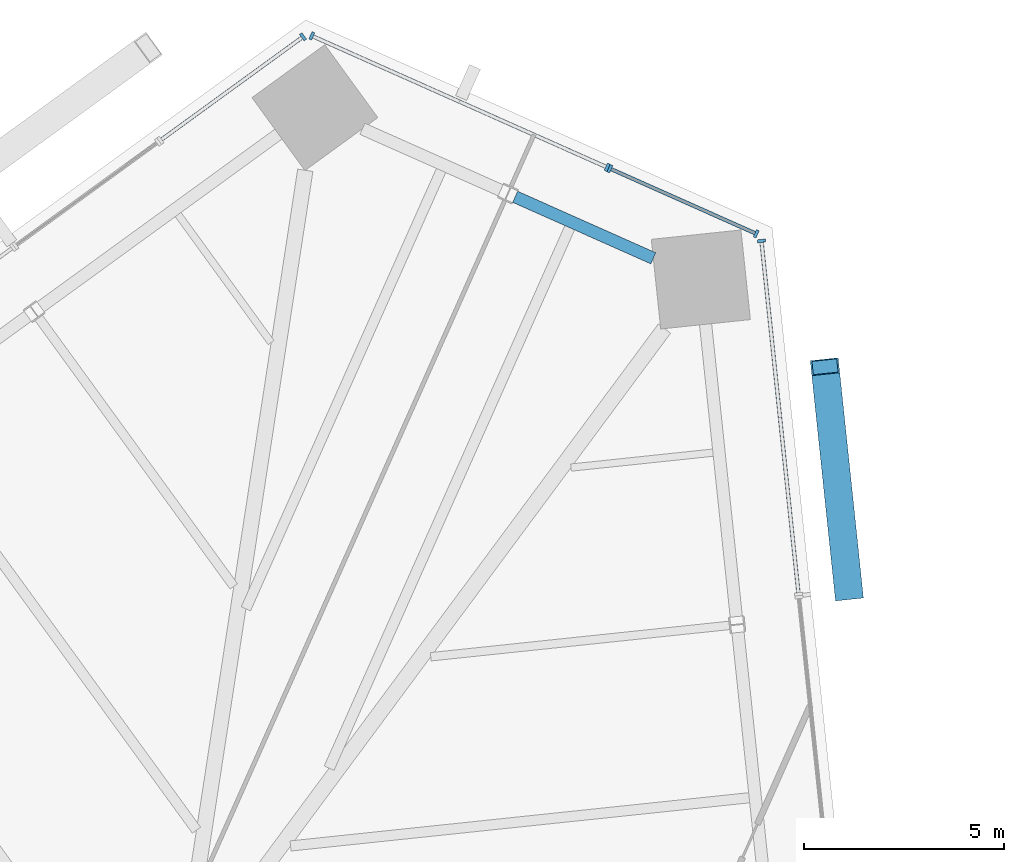
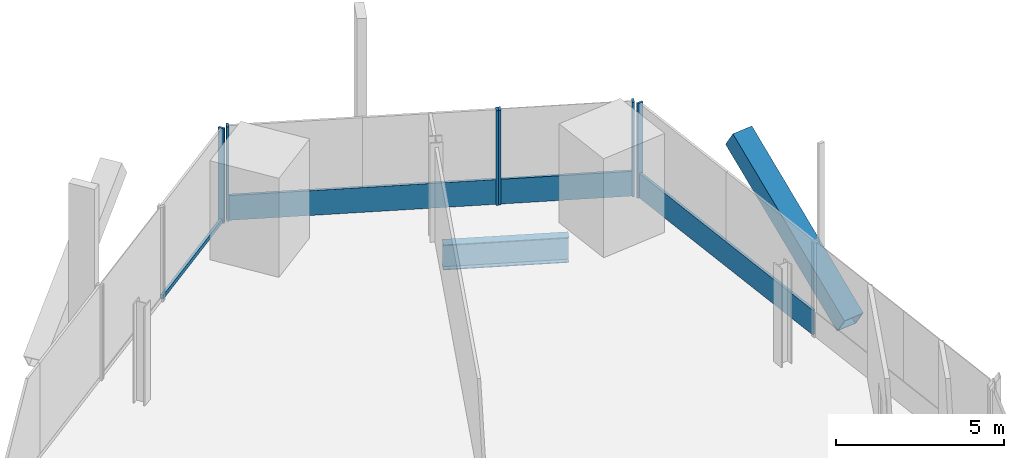
# One storey, part 8 of 21: 11 members, 1 beam, 4 elements without a shape of their own.
"""IFC4 building model written with IfcOpenShell, lengths in metres."""

from ifc_helpers import new_model, si_unit, direction, frame, origin, origin_2d, place, context, subcontext, project, spatial, rectangle, hollow_rectangle, i_section, extrude, source, transform, mapped, material, material_profile, profile_set, type_object, element, aggregate, save


model = new_model("IFC4")

# Units and contexts
model_context = context("Model", 3, precision=1e-05, world=origin(), true_north=direction((0.0, 1.0)))
body_context = subcontext(model_context, "Body", "Model", "MODEL_VIEW")
ifc_project = project(units=[si_unit("LENGTHUNIT", "METRE"), si_unit("AREAUNIT", "SQUARE_METRE"), si_unit("VOLUMEUNIT", "CUBIC_METRE"), si_unit("PLANEANGLEUNIT", "RADIAN"), si_unit("MASSUNIT", "GRAM", prefix="KILO")], contexts=[model_context])

# Site, building, storey
site_placement = place(None, origin())
site = spatial("IfcSite", under=ifc_project, at=site_placement, CompositionType="ELEMENT")
building_placement = place(site_placement, origin())
building = spatial("IfcBuilding", under=site, at=building_placement, Name="Triune Harvest Tower", CompositionType="ELEMENT")
storey_placement = place(building_placement, frame((0.0, 0.0, 87.300048828125)))
storey = spatial("IfcBuildingStorey", under=building, at=storey_placement, Name="L21", CompositionType="ELEMENT", Elevation=87.300048828125)

# Beam
ifc_material_1 = material(Name="Steel ASTM A992 Gr 50", Category="steel")
ifc_material_profile_1 = material_profile(ifc_material_1, i_section(OverallWidth=0.3046875, OverallDepth=0.914306640625, WebThickness=0.0166015625, FlangeThickness=0.02587890625, at=origin_2d()), Name="W36x160")
ifc_profile_set_1 = profile_set([ifc_material_profile_1], Name="Steel ASTM A992 Gr 50")
beam_type = type_object("IfcBeamType", Name="SB-1 Spandrel beam W36x160", PredefinedType="SPANDREL", material=ifc_profile_set_1)
shared_shape_1 = source(origin(), body_context, "Body", "SweptSolid", [
    extrude(i_section(OverallWidth=0.3046875, OverallDepth=0.914306640625, WebThickness=0.0166015625, FlangeThickness=0.02587890625, at=origin_2d()), origin(), (0.0, 0.0, 1.0), 3.77490234375),
])
beam_placement = place(storey_placement, frame((17.073974609375, 28.577392578125, -0.6171875), z_axis=(-0.913541977346, 0.40674445986, 0.0), x_axis=(-0.40674445986, -0.913541977346, 0.0)))
element("IfcBeam", 1, at=beam_placement, inside=storey, type_object=beam_type, Name="beam/L21/SB7", PredefinedType="SPANDREL", context=body_context, shape_type="MappedRepresentation", body=[
    mapped(shared_shape_1, transform((0.0, 0.0, 0.0), scale=1.0)),
])

# Member
ifc_material_2 = material(Name="Steel ASTM A572 Gr 50", Category="steel")
ifc_material_profile_2 = material_profile(ifc_material_2, hollow_rectangle(XDim=0.699951171875, YDim=0.699951171875, WallThickness=0.0400390625, at=origin_2d()), Name="Box 700x700x40")
ifc_profile_set_2 = profile_set([ifc_material_profile_2], Name="Steel ASTM A572 Gr 50")
member_type_1 = type_object("IfcMemberType", Name="BR-1 Brace Box 700x700x40", PredefinedType="BRACE", material=ifc_profile_set_2)
shared_shape_2 = source(origin(), body_context, "Body", "SweptSolid", [
    extrude(hollow_rectangle(XDim=0.699951171875, YDim=0.699951171875, WallThickness=0.0400390625, at=origin_2d()), origin(), (0.0, 0.0, 1.0), 6.702392578125),
])
member_1_placement = place(storey_placement, frame((21.95166015625, 20.247802734375, 0.0), z_axis=(-0.088187670954, 0.838893871154, 0.537103349117), x_axis=(-0.994519877461, -0.104547660588, 0.0)))
element("IfcMember", 2, at=member_1_placement, inside=storey, type_object=member_type_1, Name="brace/B2-F1/d1/9", PredefinedType="BRACE", context=body_context, shape_type="MappedRepresentation", body=[
    mapped(shared_shape_2, transform((0.0, 0.0, 0.0), scale=1.0)),
])

# Curtain wall, member
ifc_material_3 = material(Name="Aluminium bronze anodised", Category="aluminium")
curtain_wall_type_1 = type_object("IfcCurtainWallType", Name="CW-7 Tower stick curtain wall with insulated spandrel infill", PredefinedType="NOTDEFINED", material=ifc_material_3)
curtain_wall_1_placement = place(storey_placement, origin())
curtain_wall_1 = element("IfcCurtainWall", 3, at=curtain_wall_1_placement, inside=storey, type_object=curtain_wall_type_1, Name="CW-7 B2-F1 L21 run 8001")
ifc_material_4 = material(Name="Aluminium bronze anodised", Category="aluminium")
ifc_material_profile_3 = material_profile(ifc_material_4, rectangle(XDim=0.199951171875, YDim=0.074951171875, at=origin_2d()), Name="MU-1 mullion 75 x 200")
ifc_profile_set_3 = profile_set([ifc_material_profile_3], Name="Aluminium bronze anodised")
member_type_2 = type_object("IfcMemberType", Name="MU-1 mullion 75 x 200", PredefinedType="MULLION", material=ifc_profile_set_3)
shared_shape_3 = source(origin(), body_context, "Body", "SweptSolid", [
    extrude(rectangle(XDim=0.199951171875, YDim=0.074951171875, at=origin_2d()), origin(), (0.0, 0.0, 1.0), 3.43994140625),
])
member_2_placement = place(storey_placement, frame((19.7734375, 29.01171875, 0.0), z_axis=(0.0, 0.0, 1.0), x_axis=(-0.994522065412, -0.104526845393, 0.0)))
member_2 = element("IfcMember", 4, at=member_2_placement, type_object=member_type_2, Name="CW-7 mullion B2-F1 8001.3", PredefinedType="MULLION", context=body_context, shape_type="MappedRepresentation", body=[
    mapped(shared_shape_3, transform((0.0, 0.0, 0.0), scale=1.0)),
])

# Curtain wall, members
ifc_material_5 = material(Name="Aluminium bronze anodised", Category="aluminium")
curtain_wall_type_2 = type_object("IfcCurtainWallType", Name="CW-1 Tower stick curtain wall", PredefinedType="NOTDEFINED", material=ifc_material_5)
curtain_wall_2_placement = place(storey_placement, origin())
curtain_wall_2 = element("IfcCurtainWall", 5, at=curtain_wall_2_placement, inside=storey, type_object=curtain_wall_type_2, Name="CW-1 B2-F2 L21 run 1")
member_3_placement = place(storey_placement, frame((19.643798828125, 29.1904296875, 0.0), z_axis=(0.0, 0.0, 1.0), x_axis=(-0.406731107787, -0.913547922092, 0.0)))
member_3 = element("IfcMember", 6, at=member_3_placement, type_object=member_type_2, Name="CW-1 mullion B2-F2 1.1", PredefinedType="MULLION", context=body_context, shape_type="MappedRepresentation", body=[
    mapped(shared_shape_3, transform((0.0, 0.0, 0.0), scale=1.0)),
])
member_4_placement = place(storey_placement, frame((15.990966796875, 30.816650390625, 0.0), z_axis=(0.0, 0.0, 1.0), x_axis=(-0.406731107787, -0.913547922092, 0.0)))
member_4 = element("IfcMember", 7, at=member_4_placement, type_object=member_type_2, Name="CW-1 mullion B2-F2 1.2", PredefinedType="MULLION", context=body_context, shape_type="MappedRepresentation", body=[
    mapped(shared_shape_3, transform((0.0, 0.0, 0.0), scale=1.0)),
])

curtain_wall_3_placement = place(storey_placement, origin())
curtain_wall_3 = element("IfcCurtainWall", 8, at=curtain_wall_3_placement, inside=storey, type_object=curtain_wall_type_1, Name="CW-7 B2-F2 L21 run 1001")
member_5_placement = place(storey_placement, frame((15.92236328125, 30.84716796875, 0.0), z_axis=(0.0, 0.0, 1.0), x_axis=(-0.406735413684, -0.913546005002, 0.0)))
member_5 = element("IfcMember", 9, at=member_5_placement, type_object=member_type_2, Name="CW-7 mullion B2-F2 1001.1", PredefinedType="MULLION", context=body_context, shape_type="MappedRepresentation", body=[
    mapped(shared_shape_3, transform((0.0, 0.0, 0.0), scale=1.0)),
])
member_6_placement = place(storey_placement, frame((8.548583984375, 34.13037109375, 0.0), z_axis=(0.0, 0.0, 1.0), x_axis=(-0.406735413684, -0.913546005002, 0.0)))
member_6 = element("IfcMember", 10, at=member_6_placement, type_object=member_type_2, Name="CW-7 mullion B2-F2 1001.3", PredefinedType="MULLION", context=body_context, shape_type="MappedRepresentation", body=[
    mapped(shared_shape_3, transform((0.0, 0.0, 0.0), scale=1.0)),
])

# Curtain wall, member
ifc_material_6 = material(Name="Aluminium bronze anodised", Category="aluminium")
curtain_wall_type_3 = type_object("IfcCurtainWallType", Name="CW-10 Balcony window wall with insulated spandrel infill", PredefinedType="NOTDEFINED", material=ifc_material_6)
curtain_wall_4_placement = place(storey_placement, origin())
curtain_wall_4 = element("IfcCurtainWall", 11, at=curtain_wall_4_placement, inside=storey, type_object=curtain_wall_type_3, Name="CW-10 B2-F3 L21 run 1")
ifc_material_7 = material(Name="Aluminium bronze anodised", Category="aluminium")
ifc_material_profile_4 = material_profile(ifc_material_7, rectangle(XDim=0.199951171875, YDim=0.074951171875, at=origin_2d()), Name="MU-6 mullion 75 x 200")
ifc_profile_set_4 = profile_set([ifc_material_profile_4], Name="Aluminium bronze anodised")
member_type_3 = type_object("IfcMemberType", Name="MU-6 mullion 75 x 200", PredefinedType="MULLION", material=ifc_profile_set_4)
shared_shape_4 = source(origin(), body_context, "Body", "SweptSolid", [
    extrude(rectangle(XDim=0.199951171875, YDim=0.074951171875, at=origin_2d()), origin(), (0.0, 0.0, 1.0), 3.43994140625),
])
member_7_placement = place(storey_placement, frame((8.328857421875, 34.107177734375, 0.0), z_axis=(0.0, 0.0, 1.0), x_axis=(0.587780727004, -0.80902028217, 0.0)))
member_7 = element("IfcMember", 12, at=member_7_placement, type_object=member_type_3, Name="CW-10 mullion B2-F3 1.1", PredefinedType="MULLION", context=body_context, shape_type="MappedRepresentation", body=[
    mapped(shared_shape_4, transform((0.0, 0.0, 0.0), scale=1.0)),
])

# Member
ifc_material_8 = material(Name="Aluminium bronze anodised", Category="aluminium")
ifc_material_profile_5 = material_profile(ifc_material_8, rectangle(XDim=0.090087890625, YDim=0.89990234375, at=origin_2d()), Name="TR-1 transom 90 x 900")
ifc_profile_set_5 = profile_set([ifc_material_profile_5], Name="Aluminium bronze anodised")
member_type_4 = type_object("IfcMemberType", Name="TR-1 transom 90 x 900", PredefinedType="USERDEFINED", material=ifc_profile_set_5)
shared_shape_5 = source(origin(), body_context, "Body", "SweptSolid", [
    extrude(rectangle(XDim=0.090087890625, YDim=0.89990234375, at=origin_2d()), origin(), (0.0, 0.0, 1.0), 8.791259765625),
])
member_8_placement = place(storey_placement, frame((20.6962890625, 20.2314453125, 0.449951171875), z_axis=(-0.104528659017, 0.994521874794, 0.0), x_axis=(-0.994521874794, -0.104528659017, 0.0)))
member_8 = element("IfcMember", 13, at=member_8_placement, type_object=member_type_4, Name="CW-7 transom B2-F1 8001.1", ObjectType="TRANSOM", PredefinedType="USERDEFINED", context=body_context, shape_type="MappedRepresentation", body=[
    mapped(shared_shape_5, transform((0.0, 0.0, 0.0), scale=1.0)),
])

aggregate(curtain_wall_1, [member_2, member_8])

shared_shape_6 = source(origin(), body_context, "Body", "SweptSolid", [
    extrude(rectangle(XDim=0.090087890625, YDim=0.89990234375, at=origin_2d()), origin(), (0.0, 0.0, 1.0), 3.92333984375),
])
member_9_placement = place(storey_placement, frame((19.609375, 29.205810546875, 0.449951171875), z_axis=(-0.913554759991, 0.406715749016, 0.0), x_axis=(-0.406715749016, -0.913554759991, 0.0)))
member_9 = element("IfcMember", 14, at=member_9_placement, type_object=member_type_4, Name="CW-1 transom B2-F2 1.1", ObjectType="TRANSOM", PredefinedType="USERDEFINED", context=body_context, shape_type="MappedRepresentation", body=[
    mapped(shared_shape_6, transform((0.0, 0.0, 0.0), scale=1.0)),
])

aggregate(curtain_wall_2, [member_3, member_4, member_9])

shared_shape_7 = source(origin(), body_context, "Body", "SweptSolid", [
    extrude(rectangle(XDim=0.090087890625, YDim=0.89990234375, at=origin_2d()), origin(), (0.0, 0.0, 1.0), 7.996826171875),
])
member_10_placement = place(storey_placement, frame((15.88818359375, 30.862548828125, 0.449951171875), z_axis=(-0.913552013876, 0.406721917216, 0.0), x_axis=(-0.406721917216, -0.913552013876, 0.0)))
member_10 = element("IfcMember", 15, at=member_10_placement, type_object=member_type_4, Name="CW-7 transom B2-F2 1001.1", ObjectType="TRANSOM", PredefinedType="USERDEFINED", context=body_context, shape_type="MappedRepresentation", body=[
    mapped(shared_shape_7, transform((0.0, 0.0, 0.0), scale=1.0)),
])

aggregate(curtain_wall_3, [member_5, member_6, member_10])

ifc_material_9 = material(Name="Aluminium bronze anodised", Category="aluminium")
ifc_material_profile_6 = material_profile(ifc_material_9, rectangle(XDim=0.090087890625, YDim=0.14990234375, at=origin_2d()), Name="TR-6 transom 90 x 150")
ifc_profile_set_6 = profile_set([ifc_material_profile_6], Name="Aluminium bronze anodised")
member_type_5 = type_object("IfcMemberType", Name="TR-6 transom 90 x 150", PredefinedType="USERDEFINED", material=ifc_profile_set_6)
shared_shape_8 = source(origin(), body_context, "Body", "SweptSolid", [
    extrude(rectangle(XDim=0.090087890625, YDim=0.14990234375, at=origin_2d()), origin(), (0.0, 0.0, 1.0), 4.324462890625),
])
member_11_placement = place(storey_placement, frame((8.298583984375, 34.085205078125, 0.074951171875), z_axis=(-0.809026509489, -0.587772155638, 0.0), x_axis=(0.587772155638, -0.809026509489, 0.0)))
member_11 = element("IfcMember", 16, at=member_11_placement, type_object=member_type_5, Name="CW-10 transom B2-F3 1.1", ObjectType="TRANSOM", PredefinedType="USERDEFINED", context=body_context, shape_type="MappedRepresentation", body=[
    mapped(shared_shape_8, transform((0.0, 0.0, 0.0), scale=1.0)),
])

aggregate(curtain_wall_4, [member_7, member_11])

save(model, "model.ifc")
